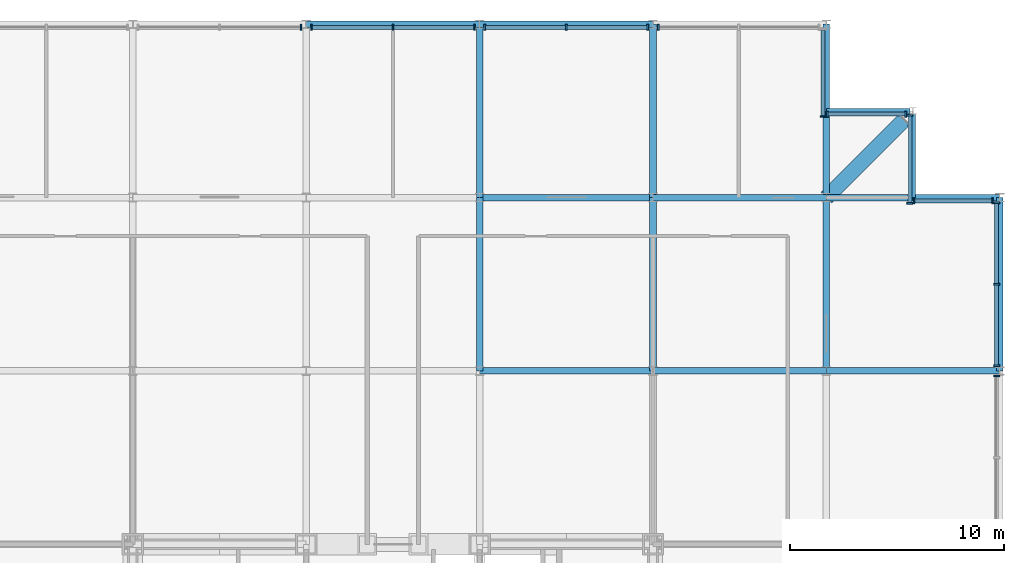
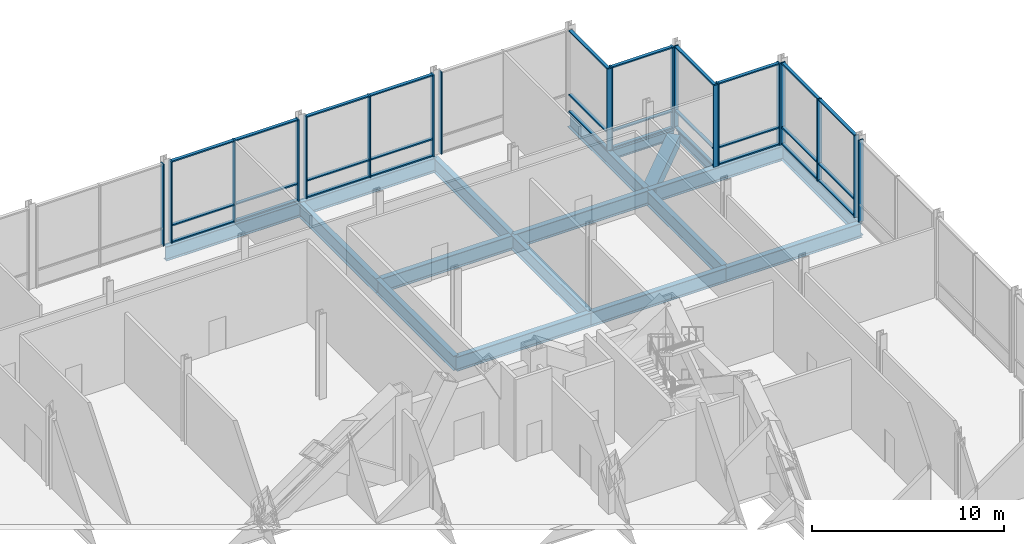
# One storey, part 10 of 21: 49 members, 18 beams, 10 elements without a shape of their own.
"""IFC4 building model written with IfcOpenShell, lengths in metres."""

from ifc_helpers import new_model, si_unit, direction, frame, origin, origin_2d, place, context, subcontext, project, spatial, rectangle, hollow_rectangle, i_section, extrude, material, material_profile, profile_set, type_object, element, aggregate, save


model = new_model("IFC4")

# Units and contexts
model_context = context("Model", 3, precision=1e-05, world=origin(), true_north=direction((0.0, 1.0)))
body_context = subcontext(model_context, "Body", "Model", "MODEL_VIEW")
ifc_project = project(units=[si_unit("LENGTHUNIT", "METRE"), si_unit("AREAUNIT", "SQUARE_METRE"), si_unit("VOLUMEUNIT", "CUBIC_METRE"), si_unit("PLANEANGLEUNIT", "RADIAN"), si_unit("MASSUNIT", "GRAM", prefix="KILO")], contexts=[model_context])

# Site, building, storey
site_placement = place(None, origin())
site = spatial("IfcSite", under=ifc_project, at=site_placement, CompositionType="ELEMENT")
building_placement = place(site_placement, origin())
building = spatial("IfcBuilding", under=site, at=building_placement, Name="Kopane Lantern Tower", CompositionType="ELEMENT")
storey_placement = place(building_placement, frame((0.0, 0.0, 298.5)))
storey = spatial("IfcBuildingStorey", under=building, at=storey_placement, Name="L76", CompositionType="ELEMENT", Elevation=298.5)

# Beams
ifc_material_1 = material(Name="Steel S355JR", Category="steel")
ifc_material_profile_1 = material_profile(ifc_material_1, hollow_rectangle(XDim=0.699951171875, YDim=0.699951171875, WallThickness=0.06005859375, at=origin_2d()), Name="BOX 700x700x60")
ifc_profile_set_1 = profile_set([ifc_material_profile_1], Name="Steel S355JR")
beam_type_1 = type_object("IfcBeamType", Name="CORNER TIE BEAM BOX 700x700x60", PredefinedType="BEAM", material=ifc_profile_set_1)
beam_1_placement = place(storey_placement, frame((52.25244140625, 60.3525390625, -0.56005859375), z_axis=(-0.707083148333, -0.70713041325, 0.0), x_axis=(0.70713041325, -0.707083148333, 0.0)))
element("IfcBeam", 1, at=beam_1_placement, inside=storey, type_object=beam_type_1, Name="Corner Tie Beam L76", PredefinedType="BEAM", context=body_context, shape_type="SweptSolid", body=[
    extrude(hollow_rectangle(XDim=0.699951171875, YDim=0.699951171875, WallThickness=0.06005859375, at=origin_2d()), origin(), (0.0, 0.0, 1.0), 5.165283203125),
])
ifc_material_2 = material(Name="Steel S355JR", Category="steel")
ifc_material_profile_2 = material_profile(ifc_material_2, i_section(OverallWidth=0.22900390625, OverallDepth=0.6123046875, WebThickness=0.011962890625, FlangeThickness=0.01953125, FilletRadius=0.0126953125, at=origin_2d()), Name="UB 610x229x125")
ifc_profile_set_2 = profile_set([ifc_material_profile_2], Name="Steel S355JR")
beam_type_2 = type_object("IfcBeamType", Name="EDGE BEAM UB 610x229x125", PredefinedType="BEAM", material=ifc_profile_set_2)
for number, where, z_axis, x_axis, name in (
    (2, (52.496337890625, 60.75, -0.51611328125), (-1.0, 0.0, 0.0), (0.0, -1.0, 0.0), "Edge Beam L76"),
    (3, (52.64990234375, 60.59619140625, -0.51611328125), (0.0, -1.0, 0.0), (1.0, 0.0, 0.0), "Edge Beam L76"),
):
    element("IfcBeam", number, at=place(storey_placement, frame(where, z_axis=z_axis, x_axis=x_axis)), inside=storey, type_object=beam_type_2, Name=name, PredefinedType="BEAM", context=body_context, shape_type="SweptSolid", body=[
        extrude(i_section(OverallWidth=0.22900390625, OverallDepth=0.6123046875, WebThickness=0.011962890625, FlangeThickness=0.01953125, FilletRadius=0.0126953125, at=origin_2d()), origin(), (0.0, 0.0, 1.0), 3.896240234375),
    ])
ifc_material_3 = material(Name="Steel S355JR", Category="steel")
ifc_material_profile_3 = material_profile(ifc_material_3, i_section(OverallWidth=0.305419921875, OverallDepth=0.91845703125, WebThickness=0.017333984375, FlangeThickness=0.02783203125, FilletRadius=0.01904296875, at=origin_2d()), Name="UB 914x305x253")
ifc_profile_set_3 = profile_set([ifc_material_profile_3], Name="Steel S355JR")
beam_type_3 = type_object("IfcBeamType", Name="GIRDER UB 914x305x253", PredefinedType="BEAM", material=ifc_profile_set_3)
for number, where, z_axis, x_axis, name in (
    (4, (24.300048828125, 64.800048828125, -0.669189453125), (1.0, 0.0, 0.0), (0.0, 1.0, 0.0), "Girder L76"),
    (5, (32.39990234375, 48.60009765625, -0.669189453125), (0.0, 1.0, 0.0), (-1.0, 0.0, 0.0), "Girder L76"),
):
    element("IfcBeam", number, at=place(storey_placement, frame(where, z_axis=z_axis, x_axis=x_axis)), inside=storey, type_object=beam_type_3, Name=name, PredefinedType="BEAM", context=body_context, shape_type="SweptSolid", body=[
        extrude(i_section(OverallWidth=0.305419921875, OverallDepth=0.91845703125, WebThickness=0.017333984375, FlangeThickness=0.02783203125, FilletRadius=0.01904296875, at=origin_2d()), origin(), (0.0, 0.0, 1.0), 8.099853515625),
    ])
for number, where, z_axis, x_axis, name in (
    (6, (32.39990234375, 48.60009765625, -0.669189453125), (1.0, 0.0, 0.0), (0.0, 1.0, 0.0), "Girder L76"),
    (7, (32.39990234375, 56.699951171875, -0.669189453125), (0.0, 1.0, 0.0), (-1.0, 0.0, 0.0), "Girder L76"),
    (8, (32.39990234375, 56.699951171875, -0.669189453125), (1.0, 0.0, 0.0), (0.0, 1.0, 0.0), "Girder L76"),
    (9, (32.39990234375, 64.800048828125, -0.669189453125), (1.0, 0.0, 0.0), (0.0, 1.0, 0.0), "Girder L76"),
):
    element("IfcBeam", number, at=place(storey_placement, frame(where, z_axis=z_axis, x_axis=x_axis)), inside=storey, type_object=beam_type_3, Name=name, PredefinedType="BEAM", context=body_context, shape_type="SweptSolid", body=[
        extrude(i_section(OverallWidth=0.305419921875, OverallDepth=0.91845703125, WebThickness=0.017333984375, FlangeThickness=0.02783203125, FilletRadius=0.01904296875, at=origin_2d()), origin(), (0.0, 0.0, 1.0), 8.10009765625),
    ])
beam_2_placement = place(storey_placement, frame((40.5, 48.60009765625, -0.669189453125), z_axis=(0.0, 1.0, 0.0), x_axis=(-1.0, 0.0, 0.0)))
element("IfcBeam", 10, at=beam_2_placement, inside=storey, type_object=beam_type_3, Name="Girder L76", PredefinedType="BEAM", context=body_context, shape_type="SweptSolid", body=[
    extrude(i_section(OverallWidth=0.305419921875, OverallDepth=0.91845703125, WebThickness=0.017333984375, FlangeThickness=0.02783203125, FilletRadius=0.01904296875, at=origin_2d()), origin(), (0.0, 0.0, 1.0), 8.099853515625),
])
for number, where, z_axis, x_axis, name in (
    (11, (40.5, 48.60009765625, -0.669189453125), (1.0, 0.0, 0.0), (0.0, 1.0, 0.0), "Girder L76"),
    (12, (40.5, 56.699951171875, -0.669189453125), (0.0, 1.0, 0.0), (-1.0, 0.0, 0.0), "Girder L76"),
    (13, (40.5, 56.699951171875, -0.669189453125), (1.0, 0.0, 0.0), (0.0, 1.0, 0.0), "Girder L76"),
):
    element("IfcBeam", number, at=place(storey_placement, frame(where, z_axis=z_axis, x_axis=x_axis)), inside=storey, type_object=beam_type_3, Name=name, PredefinedType="BEAM", context=body_context, shape_type="SweptSolid", body=[
        extrude(i_section(OverallWidth=0.305419921875, OverallDepth=0.91845703125, WebThickness=0.017333984375, FlangeThickness=0.02783203125, FilletRadius=0.01904296875, at=origin_2d()), origin(), (0.0, 0.0, 1.0), 8.10009765625),
    ])
for number, where, z_axis, x_axis, name in (
    (14, (48.60009765625, 48.60009765625, -0.669189453125), (0.0, 1.0, 0.0), (-1.0, 0.0, 0.0), "Girder L76"),
    (15, (48.60009765625, 48.60009765625, -0.669189453125), (1.0, 0.0, 0.0), (0.0, 1.0, 0.0), "Girder L76"),
):
    element("IfcBeam", number, at=place(storey_placement, frame(where, z_axis=z_axis, x_axis=x_axis)), inside=storey, type_object=beam_type_3, Name=name, PredefinedType="BEAM", context=body_context, shape_type="SweptSolid", body=[
        extrude(i_section(OverallWidth=0.305419921875, OverallDepth=0.91845703125, WebThickness=0.017333984375, FlangeThickness=0.02783203125, FilletRadius=0.01904296875, at=origin_2d()), origin(), (0.0, 0.0, 1.0), 8.099853515625),
    ])
beam_3_placement = place(storey_placement, frame((48.60009765625, 56.699951171875, -0.669189453125), z_axis=(0.0, 1.0, 0.0), x_axis=(-1.0, 0.0, 0.0)))
element("IfcBeam", 16, at=beam_3_placement, inside=storey, type_object=beam_type_3, Name="Girder L76", PredefinedType="BEAM", context=body_context, shape_type="SweptSolid", body=[
    extrude(i_section(OverallWidth=0.305419921875, OverallDepth=0.91845703125, WebThickness=0.017333984375, FlangeThickness=0.02783203125, FilletRadius=0.01904296875, at=origin_2d()), origin(), (0.0, 0.0, 1.0), 8.10009765625),
])
for number, where, z_axis, x_axis, name in (
    (17, (48.60009765625, 56.699951171875, -0.669189453125), (1.0, 0.0, 0.0), (0.0, 1.0, 0.0), "Girder L76"),
    (18, (56.699951171875, 48.60009765625, -0.669189453125), (0.0, 1.0, 0.0), (-1.0, 0.0, 0.0), "Girder L76"),
):
    element("IfcBeam", number, at=place(storey_placement, frame(where, z_axis=z_axis, x_axis=x_axis)), inside=storey, type_object=beam_type_3, Name=name, PredefinedType="BEAM", context=body_context, shape_type="SweptSolid", body=[
        extrude(i_section(OverallWidth=0.305419921875, OverallDepth=0.91845703125, WebThickness=0.017333984375, FlangeThickness=0.02783203125, FilletRadius=0.01904296875, at=origin_2d()), origin(), (0.0, 0.0, 1.0), 8.099853515625),
    ])

# Curtain wall, member
ifc_material_4 = material(Name="Aluminium and clear glass", Category="aluminium")
curtain_wall_type = type_object("IfcCurtainWallType", Name="CURTAIN WALL CW6 LANTERN CROWN", PredefinedType="USERDEFINED", material=ifc_material_4)
curtain_wall_1_placement = place(storey_placement, origin())
curtain_wall_1 = element("IfcCurtainWall", 19, at=curtain_wall_1_placement, inside=storey, type_object=curtain_wall_type, Name="Curtain wall CW6 E L76", ObjectType="CURTAIN WALL", PredefinedType="USERDEFINED")
ifc_material_5 = material(Name="Aluminium", Category="aluminium")
ifc_material_profile_4 = material_profile(ifc_material_5, rectangle(XDim=0.080078125, YDim=0.280029296875, at=origin_2d()), Name="AL 80x280")
ifc_profile_set_4 = profile_set([ifc_material_profile_4], Name="Aluminium")
member_type_1 = type_object("IfcMemberType", Name="MULLION CW6-M 80x280", PredefinedType="MULLION", material=ifc_profile_set_4)
member_1_placement = place(storey_placement, frame((56.550048828125, 48.358154296875, 0.0), z_axis=(0.0, 0.0, 1.0), x_axis=(0.0, 1.0, 0.0)))
member_1 = element("IfcMember", 20, at=member_1_placement, type_object=member_type_1, Name="CW6 mullion 3", PredefinedType="MULLION", context=body_context, shape_type="SweptSolid", body=[
    extrude(rectangle(XDim=0.080078125, YDim=0.280029296875, at=origin_2d()), origin(), (0.0, 0.0, 1.0), 5.18994140625),
])
aggregate(curtain_wall_1, [member_1])

# Curtain wall, members
curtain_wall_2_placement = place(storey_placement, origin())
curtain_wall_2 = element("IfcCurtainWall", 21, at=curtain_wall_2_placement, inside=storey, type_object=curtain_wall_type, Name="Curtain wall CW6 E L76", ObjectType="CURTAIN WALL", PredefinedType="USERDEFINED")
member_2_placement = place(storey_placement, frame((56.550048828125, 48.841796875, 0.0), z_axis=(0.0, 0.0, 1.0), x_axis=(0.0, 1.0, 0.0)))
member_2 = element("IfcMember", 22, at=member_2_placement, type_object=member_type_1, Name="CW6 mullion 1", PredefinedType="MULLION", context=body_context, shape_type="SweptSolid", body=[
    extrude(rectangle(XDim=0.080078125, YDim=0.280029296875, at=origin_2d()), origin(), (0.0, 0.0, 1.0), 5.18994140625),
])
member_3_placement = place(storey_placement, frame((56.550048828125, 52.64990234375, 0.0), z_axis=(0.0, 0.0, 1.0), x_axis=(0.0, 1.0, 0.0)))
member_3 = element("IfcMember", 23, at=member_3_placement, type_object=member_type_1, Name="CW6 mullion 2", PredefinedType="MULLION", context=body_context, shape_type="SweptSolid", body=[
    extrude(rectangle(XDim=0.080078125, YDim=0.280029296875, at=origin_2d()), origin(), (0.0, 0.0, 1.0), 5.18994140625),
])
member_4_placement = place(storey_placement, frame((56.550048828125, 56.458251953125, 0.0), z_axis=(0.0, 0.0, 1.0), x_axis=(0.0, 1.0, 0.0)))
member_4 = element("IfcMember", 24, at=member_4_placement, type_object=member_type_1, Name="CW6 mullion 3", PredefinedType="MULLION", context=body_context, shape_type="SweptSolid", body=[
    extrude(rectangle(XDim=0.080078125, YDim=0.280029296875, at=origin_2d()), origin(), (0.0, 0.0, 1.0), 5.18994140625),
])

curtain_wall_3_placement = place(storey_placement, origin())
curtain_wall_3 = element("IfcCurtainWall", 25, at=curtain_wall_3_placement, inside=storey, type_object=curtain_wall_type, Name="Curtain wall CW6 N L76", ObjectType="CURTAIN WALL", PredefinedType="USERDEFINED")
member_5_placement = place(storey_placement, frame((56.360107421875, 56.550048828125, 0.0), z_axis=(0.0, 0.0, 1.0), x_axis=(-1.0, 0.0, 0.0)))
member_5 = element("IfcMember", 26, at=member_5_placement, type_object=member_type_1, Name="CW6 mullion 1", PredefinedType="MULLION", context=body_context, shape_type="SweptSolid", body=[
    extrude(rectangle(XDim=0.080078125, YDim=0.280029296875, at=origin_2d()), origin(), (0.0, 0.0, 1.0), 5.18994140625),
])
member_6_placement = place(storey_placement, frame((52.68994140625, 56.550048828125, 0.0), z_axis=(0.0, 0.0, 1.0), x_axis=(-1.0, 0.0, 0.0)))
member_6 = element("IfcMember", 27, at=member_6_placement, type_object=member_type_1, Name="CW6 mullion 2", PredefinedType="MULLION", context=body_context, shape_type="SweptSolid", body=[
    extrude(rectangle(XDim=0.080078125, YDim=0.280029296875, at=origin_2d()), origin(), (0.0, 0.0, 1.0), 5.18994140625),
])

curtain_wall_4_placement = place(storey_placement, origin())
curtain_wall_4 = element("IfcCurtainWall", 28, at=curtain_wall_4_placement, inside=storey, type_object=curtain_wall_type, Name="Curtain wall CW6 E L76", ObjectType="CURTAIN WALL", PredefinedType="USERDEFINED")
member_7_placement = place(storey_placement, frame((52.5, 56.43994140625, 0.0), z_axis=(0.0, 0.0, 1.0), x_axis=(0.0, 1.0, 0.0)))
member_7 = element("IfcMember", 29, at=member_7_placement, type_object=member_type_1, Name="CW6 mullion 1", PredefinedType="MULLION", context=body_context, shape_type="SweptSolid", body=[
    extrude(rectangle(XDim=0.080078125, YDim=0.280029296875, at=origin_2d()), origin(), (0.0, 0.0, 1.0), 5.18994140625),
])
member_8_placement = place(storey_placement, frame((52.5, 60.547607421875, 0.0), z_axis=(0.0, 0.0, 1.0), x_axis=(0.0, 1.0, 0.0)))
member_8 = element("IfcMember", 30, at=member_8_placement, type_object=member_type_1, Name="CW6 mullion 2", PredefinedType="MULLION", context=body_context, shape_type="SweptSolid", body=[
    extrude(rectangle(XDim=0.080078125, YDim=0.280029296875, at=origin_2d()), origin(), (0.0, 0.0, 1.0), 5.18994140625),
])

curtain_wall_5_placement = place(storey_placement, origin())
curtain_wall_5 = element("IfcCurtainWall", 31, at=curtain_wall_5_placement, inside=storey, type_object=curtain_wall_type, Name="Curtain wall CW6 N L76", ObjectType="CURTAIN WALL", PredefinedType="USERDEFINED")
member_9_placement = place(storey_placement, frame((52.31005859375, 60.60009765625, 0.0), z_axis=(0.0, 0.0, 1.0), x_axis=(-1.0, 0.0, 0.0)))
member_9 = element("IfcMember", 32, at=member_9_placement, type_object=member_type_1, Name="CW6 mullion 1", PredefinedType="MULLION", context=body_context, shape_type="SweptSolid", body=[
    extrude(rectangle(XDim=0.080078125, YDim=0.280029296875, at=origin_2d()), origin(), (0.0, 0.0, 1.0), 5.18994140625),
])
member_10_placement = place(storey_placement, frame((48.639892578125, 60.60009765625, 0.0), z_axis=(0.0, 0.0, 1.0), x_axis=(-1.0, 0.0, 0.0)))
member_10 = element("IfcMember", 33, at=member_10_placement, type_object=member_type_1, Name="CW6 mullion 2", PredefinedType="MULLION", context=body_context, shape_type="SweptSolid", body=[
    extrude(rectangle(XDim=0.080078125, YDim=0.280029296875, at=origin_2d()), origin(), (0.0, 0.0, 1.0), 5.18994140625),
])

# Curtain wall, member
curtain_wall_6_placement = place(storey_placement, origin())
curtain_wall_6 = element("IfcCurtainWall", 34, at=curtain_wall_6_placement, inside=storey, type_object=curtain_wall_type, Name="Curtain wall CW6 E L76", ObjectType="CURTAIN WALL", PredefinedType="USERDEFINED")
member_11_placement = place(storey_placement, frame((48.449951171875, 60.489990234375, 0.0), z_axis=(0.0, 0.0, 1.0), x_axis=(0.0, 1.0, 0.0)))
member_11 = element("IfcMember", 35, at=member_11_placement, type_object=member_type_1, Name="CW6 mullion 1", PredefinedType="MULLION", context=body_context, shape_type="SweptSolid", body=[
    extrude(rectangle(XDim=0.080078125, YDim=0.280029296875, at=origin_2d()), origin(), (0.0, 0.0, 1.0), 5.18994140625),
])

curtain_wall_7_placement = place(storey_placement, origin())
curtain_wall_7 = element("IfcCurtainWall", 36, at=curtain_wall_7_placement, inside=storey, type_object=curtain_wall_type, Name="Curtain wall CW6 N L76", ObjectType="CURTAIN WALL", PredefinedType="USERDEFINED")
member_12_placement = place(storey_placement, frame((40.744384765625, 64.64990234375, 0.0), z_axis=(0.0, 0.0, 1.0), x_axis=(-1.0, 0.0, 0.0)))
member_12 = element("IfcMember", 37, at=member_12_placement, type_object=member_type_1, Name="CW6 mullion 3", PredefinedType="MULLION", context=body_context, shape_type="SweptSolid", body=[
    extrude(rectangle(XDim=0.080078125, YDim=0.280029296875, at=origin_2d()), origin(), (0.0, 0.0, 1.0), 5.18994140625),
])
aggregate(curtain_wall_7, [member_12])

# Curtain wall, members
curtain_wall_8_placement = place(storey_placement, origin())
curtain_wall_8 = element("IfcCurtainWall", 38, at=curtain_wall_8_placement, inside=storey, type_object=curtain_wall_type, Name="Curtain wall CW6 N L76", ObjectType="CURTAIN WALL", PredefinedType="USERDEFINED")
member_13_placement = place(storey_placement, frame((40.255615234375, 64.64990234375, 0.0), z_axis=(0.0, 0.0, 1.0), x_axis=(-1.0, 0.0, 0.0)))
member_13 = element("IfcMember", 39, at=member_13_placement, type_object=member_type_1, Name="CW6 mullion 1", PredefinedType="MULLION", context=body_context, shape_type="SweptSolid", body=[
    extrude(rectangle(XDim=0.080078125, YDim=0.280029296875, at=origin_2d()), origin(), (0.0, 0.0, 1.0), 5.18994140625),
])
member_14_placement = place(storey_placement, frame((36.449951171875, 64.64990234375, 0.0), z_axis=(0.0, 0.0, 1.0), x_axis=(-1.0, 0.0, 0.0)))
member_14 = element("IfcMember", 40, at=member_14_placement, type_object=member_type_1, Name="CW6 mullion 2", PredefinedType="MULLION", context=body_context, shape_type="SweptSolid", body=[
    extrude(rectangle(XDim=0.080078125, YDim=0.280029296875, at=origin_2d()), origin(), (0.0, 0.0, 1.0), 5.18994140625),
])
member_15_placement = place(storey_placement, frame((32.64453125, 64.64990234375, 0.0), z_axis=(0.0, 0.0, 1.0), x_axis=(-1.0, 0.0, 0.0)))
member_15 = element("IfcMember", 41, at=member_15_placement, type_object=member_type_1, Name="CW6 mullion 3", PredefinedType="MULLION", context=body_context, shape_type="SweptSolid", body=[
    extrude(rectangle(XDim=0.080078125, YDim=0.280029296875, at=origin_2d()), origin(), (0.0, 0.0, 1.0), 5.18994140625),
])

curtain_wall_9_placement = place(storey_placement, origin())
curtain_wall_9 = element("IfcCurtainWall", 42, at=curtain_wall_9_placement, inside=storey, type_object=curtain_wall_type, Name="Curtain wall CW6 N L76", ObjectType="CURTAIN WALL", PredefinedType="USERDEFINED")
member_16_placement = place(storey_placement, frame((32.155517578125, 64.64990234375, 0.0), z_axis=(0.0, 0.0, 1.0), x_axis=(-1.0, 0.0, 0.0)))
member_16 = element("IfcMember", 43, at=member_16_placement, type_object=member_type_1, Name="CW6 mullion 1", PredefinedType="MULLION", context=body_context, shape_type="SweptSolid", body=[
    extrude(rectangle(XDim=0.080078125, YDim=0.280029296875, at=origin_2d()), origin(), (0.0, 0.0, 1.0), 5.18994140625),
])
member_17_placement = place(storey_placement, frame((28.35009765625, 64.64990234375, 0.0), z_axis=(0.0, 0.0, 1.0), x_axis=(-1.0, 0.0, 0.0)))
member_17 = element("IfcMember", 44, at=member_17_placement, type_object=member_type_1, Name="CW6 mullion 2", PredefinedType="MULLION", context=body_context, shape_type="SweptSolid", body=[
    extrude(rectangle(XDim=0.080078125, YDim=0.280029296875, at=origin_2d()), origin(), (0.0, 0.0, 1.0), 5.18994140625),
])
member_18_placement = place(storey_placement, frame((24.54443359375, 64.64990234375, 0.0), z_axis=(0.0, 0.0, 1.0), x_axis=(-1.0, 0.0, 0.0)))
member_18 = element("IfcMember", 45, at=member_18_placement, type_object=member_type_1, Name="CW6 mullion 3", PredefinedType="MULLION", context=body_context, shape_type="SweptSolid", body=[
    extrude(rectangle(XDim=0.080078125, YDim=0.280029296875, at=origin_2d()), origin(), (0.0, 0.0, 1.0), 5.18994140625),
])

# Curtain wall, member
curtain_wall_10_placement = place(storey_placement, origin())
curtain_wall_10 = element("IfcCurtainWall", 46, at=curtain_wall_10_placement, inside=storey, type_object=curtain_wall_type, Name="Curtain wall CW6 N L76", ObjectType="CURTAIN WALL", PredefinedType="USERDEFINED")
member_19_placement = place(storey_placement, frame((24.055419921875, 64.64990234375, 0.0), z_axis=(0.0, 0.0, 1.0), x_axis=(-1.0, 0.0, 0.0)))
member_19 = element("IfcMember", 47, at=member_19_placement, type_object=member_type_1, Name="CW6 mullion 1", PredefinedType="MULLION", context=body_context, shape_type="SweptSolid", body=[
    extrude(rectangle(XDim=0.080078125, YDim=0.280029296875, at=origin_2d()), origin(), (0.0, 0.0, 1.0), 5.18994140625),
])
aggregate(curtain_wall_10, [member_19])

# Member
ifc_material_6 = material(Name="Aluminium", Category="aluminium")
ifc_material_profile_5 = material_profile(ifc_material_6, rectangle(XDim=0.18994140625, YDim=0.080078125, at=origin_2d()), Name="AL 190x80")
ifc_profile_set_5 = profile_set([ifc_material_profile_5], Name="Aluminium")
member_type_2 = type_object("IfcMemberType", Name="TRANSOM CW6-T 80x190", PredefinedType="USERDEFINED", material=ifc_profile_set_5)
member_20_placement = place(storey_placement, frame((56.550048828125, 48.8818359375, 0.0400390625), z_axis=(0.0, 1.0, 0.0), x_axis=(-1.0, 0.0, 0.0)))
member_20 = element("IfcMember", 48, at=member_20_placement, type_object=member_type_2, Name="CW6 transom 1.1", ObjectType="TRANSOM", PredefinedType="USERDEFINED", context=body_context, shape_type="SweptSolid", body=[
    extrude(rectangle(XDim=0.18994140625, YDim=0.080078125, at=origin_2d()), origin(), (0.0, 0.0, 1.0), 3.728271484375),
])

member_21_placement = place(storey_placement, frame((56.550048828125, 48.8818359375, 1.10009765625), z_axis=(0.0, 1.0, 0.0), x_axis=(-1.0, 0.0, 0.0)))
member_21 = element("IfcMember", 49, at=member_21_placement, type_object=member_type_2, Name="CW6 transom 1.2", ObjectType="TRANSOM", PredefinedType="USERDEFINED", context=body_context, shape_type="SweptSolid", body=[
    extrude(rectangle(XDim=0.18994140625, YDim=0.080078125, at=origin_2d()), origin(), (0.0, 0.0, 1.0), 3.728271484375),
])

member_22_placement = place(storey_placement, frame((56.550048828125, 48.8818359375, 5.14990234375), z_axis=(0.0, 1.0, 0.0), x_axis=(-1.0, 0.0, 0.0)))
member_22 = element("IfcMember", 50, at=member_22_placement, type_object=member_type_2, Name="CW6 transom 1.3", ObjectType="TRANSOM", PredefinedType="USERDEFINED", context=body_context, shape_type="SweptSolid", body=[
    extrude(rectangle(XDim=0.18994140625, YDim=0.080078125, at=origin_2d()), origin(), (0.0, 0.0, 1.0), 3.728271484375),
])

member_23_placement = place(storey_placement, frame((56.550048828125, 52.68994140625, 0.0400390625), z_axis=(0.0, 1.0, 0.0), x_axis=(-1.0, 0.0, 0.0)))
member_23 = element("IfcMember", 51, at=member_23_placement, type_object=member_type_2, Name="CW6 transom 2.1", ObjectType="TRANSOM", PredefinedType="USERDEFINED", context=body_context, shape_type="SweptSolid", body=[
    extrude(rectangle(XDim=0.18994140625, YDim=0.080078125, at=origin_2d()), origin(), (0.0, 0.0, 1.0), 3.728271484375),
])

member_24_placement = place(storey_placement, frame((56.550048828125, 52.68994140625, 1.10009765625), z_axis=(0.0, 1.0, 0.0), x_axis=(-1.0, 0.0, 0.0)))
member_24 = element("IfcMember", 52, at=member_24_placement, type_object=member_type_2, Name="CW6 transom 2.2", ObjectType="TRANSOM", PredefinedType="USERDEFINED", context=body_context, shape_type="SweptSolid", body=[
    extrude(rectangle(XDim=0.18994140625, YDim=0.080078125, at=origin_2d()), origin(), (0.0, 0.0, 1.0), 3.728271484375),
])

member_25_placement = place(storey_placement, frame((56.550048828125, 52.68994140625, 5.14990234375), z_axis=(0.0, 1.0, 0.0), x_axis=(-1.0, 0.0, 0.0)))
member_25 = element("IfcMember", 53, at=member_25_placement, type_object=member_type_2, Name="CW6 transom 2.3", ObjectType="TRANSOM", PredefinedType="USERDEFINED", context=body_context, shape_type="SweptSolid", body=[
    extrude(rectangle(XDim=0.18994140625, YDim=0.080078125, at=origin_2d()), origin(), (0.0, 0.0, 1.0), 3.728271484375),
])

aggregate(curtain_wall_2, [member_2, member_3, member_4, member_20, member_21, member_22, member_23, member_24, member_25])

member_26_placement = place(storey_placement, frame((56.320068359375, 56.550048828125, 0.0400390625), z_axis=(-1.0, 0.0, 0.0), x_axis=(0.0, -1.0, 0.0)))
member_26 = element("IfcMember", 54, at=member_26_placement, type_object=member_type_2, Name="CW6 transom 1.1", ObjectType="TRANSOM", PredefinedType="USERDEFINED", context=body_context, shape_type="SweptSolid", body=[
    extrude(rectangle(XDim=0.18994140625, YDim=0.080078125, at=origin_2d()), origin(), (0.0, 0.0, 1.0), 3.590087890625),
])

member_27_placement = place(storey_placement, frame((56.320068359375, 56.550048828125, 1.10009765625), z_axis=(-1.0, 0.0, 0.0), x_axis=(0.0, -1.0, 0.0)))
member_27 = element("IfcMember", 55, at=member_27_placement, type_object=member_type_2, Name="CW6 transom 1.2", ObjectType="TRANSOM", PredefinedType="USERDEFINED", context=body_context, shape_type="SweptSolid", body=[
    extrude(rectangle(XDim=0.18994140625, YDim=0.080078125, at=origin_2d()), origin(), (0.0, 0.0, 1.0), 3.590087890625),
])

member_28_placement = place(storey_placement, frame((56.320068359375, 56.550048828125, 5.14990234375), z_axis=(-1.0, 0.0, 0.0), x_axis=(0.0, -1.0, 0.0)))
member_28 = element("IfcMember", 56, at=member_28_placement, type_object=member_type_2, Name="CW6 transom 1.3", ObjectType="TRANSOM", PredefinedType="USERDEFINED", context=body_context, shape_type="SweptSolid", body=[
    extrude(rectangle(XDim=0.18994140625, YDim=0.080078125, at=origin_2d()), origin(), (0.0, 0.0, 1.0), 3.590087890625),
])

aggregate(curtain_wall_3, [member_5, member_6, member_26, member_27, member_28])

member_29_placement = place(storey_placement, frame((52.5, 56.47998046875, 0.0400390625), z_axis=(0.0, 1.0, 0.0), x_axis=(-1.0, 0.0, 0.0)))
member_29 = element("IfcMember", 57, at=member_29_placement, type_object=member_type_2, Name="CW6 transom 1.1", ObjectType="TRANSOM", PredefinedType="USERDEFINED", context=body_context, shape_type="SweptSolid", body=[
    extrude(rectangle(XDim=0.18994140625, YDim=0.080078125, at=origin_2d()), origin(), (0.0, 0.0, 1.0), 4.02783203125),
])

member_30_placement = place(storey_placement, frame((52.5, 56.47998046875, 1.10009765625), z_axis=(0.0, 1.0, 0.0), x_axis=(-1.0, 0.0, 0.0)))
member_30 = element("IfcMember", 58, at=member_30_placement, type_object=member_type_2, Name="CW6 transom 1.2", ObjectType="TRANSOM", PredefinedType="USERDEFINED", context=body_context, shape_type="SweptSolid", body=[
    extrude(rectangle(XDim=0.18994140625, YDim=0.080078125, at=origin_2d()), origin(), (0.0, 0.0, 1.0), 4.02783203125),
])

member_31_placement = place(storey_placement, frame((52.5, 56.47998046875, 5.14990234375), z_axis=(0.0, 1.0, 0.0), x_axis=(-1.0, 0.0, 0.0)))
member_31 = element("IfcMember", 59, at=member_31_placement, type_object=member_type_2, Name="CW6 transom 1.3", ObjectType="TRANSOM", PredefinedType="USERDEFINED", context=body_context, shape_type="SweptSolid", body=[
    extrude(rectangle(XDim=0.18994140625, YDim=0.080078125, at=origin_2d()), origin(), (0.0, 0.0, 1.0), 4.02783203125),
])

aggregate(curtain_wall_4, [member_7, member_8, member_29, member_30, member_31])

member_32_placement = place(storey_placement, frame((52.27001953125, 60.60009765625, 0.0400390625), z_axis=(-1.0, 0.0, 0.0), x_axis=(0.0, -1.0, 0.0)))
member_32 = element("IfcMember", 60, at=member_32_placement, type_object=member_type_2, Name="CW6 transom 1.1", ObjectType="TRANSOM", PredefinedType="USERDEFINED", context=body_context, shape_type="SweptSolid", body=[
    extrude(rectangle(XDim=0.18994140625, YDim=0.080078125, at=origin_2d()), origin(), (0.0, 0.0, 1.0), 3.590087890625),
])

member_33_placement = place(storey_placement, frame((52.27001953125, 60.60009765625, 1.10009765625), z_axis=(-1.0, 0.0, 0.0), x_axis=(0.0, -1.0, 0.0)))
member_33 = element("IfcMember", 61, at=member_33_placement, type_object=member_type_2, Name="CW6 transom 1.2", ObjectType="TRANSOM", PredefinedType="USERDEFINED", context=body_context, shape_type="SweptSolid", body=[
    extrude(rectangle(XDim=0.18994140625, YDim=0.080078125, at=origin_2d()), origin(), (0.0, 0.0, 1.0), 3.590087890625),
])

member_34_placement = place(storey_placement, frame((52.27001953125, 60.60009765625, 5.14990234375), z_axis=(-1.0, 0.0, 0.0), x_axis=(0.0, -1.0, 0.0)))
member_34 = element("IfcMember", 62, at=member_34_placement, type_object=member_type_2, Name="CW6 transom 1.3", ObjectType="TRANSOM", PredefinedType="USERDEFINED", context=body_context, shape_type="SweptSolid", body=[
    extrude(rectangle(XDim=0.18994140625, YDim=0.080078125, at=origin_2d()), origin(), (0.0, 0.0, 1.0), 3.590087890625),
])

aggregate(curtain_wall_5, [member_9, member_10, member_32, member_33, member_34])

member_35_placement = place(storey_placement, frame((48.449951171875, 60.530029296875, 0.0400390625), z_axis=(0.0, 1.0, 0.0), x_axis=(-1.0, 0.0, 0.0)))
member_35 = element("IfcMember", 63, at=member_35_placement, type_object=member_type_2, Name="CW6 transom 1.1", ObjectType="TRANSOM", PredefinedType="USERDEFINED", context=body_context, shape_type="SweptSolid", body=[
    extrude(rectangle(XDim=0.18994140625, YDim=0.080078125, at=origin_2d()), origin(), (0.0, 0.0, 1.0), 3.98828125),
])

member_36_placement = place(storey_placement, frame((48.449951171875, 60.530029296875, 1.10009765625), z_axis=(0.0, 1.0, 0.0), x_axis=(-1.0, 0.0, 0.0)))
member_36 = element("IfcMember", 64, at=member_36_placement, type_object=member_type_2, Name="CW6 transom 1.2", ObjectType="TRANSOM", PredefinedType="USERDEFINED", context=body_context, shape_type="SweptSolid", body=[
    extrude(rectangle(XDim=0.18994140625, YDim=0.080078125, at=origin_2d()), origin(), (0.0, 0.0, 1.0), 3.98828125),
])

member_37_placement = place(storey_placement, frame((48.449951171875, 60.530029296875, 5.14990234375), z_axis=(0.0, 1.0, 0.0), x_axis=(-1.0, 0.0, 0.0)))
member_37 = element("IfcMember", 65, at=member_37_placement, type_object=member_type_2, Name="CW6 transom 1.3", ObjectType="TRANSOM", PredefinedType="USERDEFINED", context=body_context, shape_type="SweptSolid", body=[
    extrude(rectangle(XDim=0.18994140625, YDim=0.080078125, at=origin_2d()), origin(), (0.0, 0.0, 1.0), 3.98828125),
])

aggregate(curtain_wall_6, [member_11, member_35, member_36, member_37])

member_38_placement = place(storey_placement, frame((40.215576171875, 64.64990234375, 0.0400390625), z_axis=(-1.0, 0.0, 0.0), x_axis=(0.0, -1.0, 0.0)))
member_38 = element("IfcMember", 66, at=member_38_placement, type_object=member_type_2, Name="CW6 transom 1.1", ObjectType="TRANSOM", PredefinedType="USERDEFINED", context=body_context, shape_type="SweptSolid", body=[
    extrude(rectangle(XDim=0.18994140625, YDim=0.080078125, at=origin_2d()), origin(), (0.0, 0.0, 1.0), 3.7255859375),
])

member_39_placement = place(storey_placement, frame((40.215576171875, 64.64990234375, 1.10009765625), z_axis=(-1.0, 0.0, 0.0), x_axis=(0.0, -1.0, 0.0)))
member_39 = element("IfcMember", 67, at=member_39_placement, type_object=member_type_2, Name="CW6 transom 1.2", ObjectType="TRANSOM", PredefinedType="USERDEFINED", context=body_context, shape_type="SweptSolid", body=[
    extrude(rectangle(XDim=0.18994140625, YDim=0.080078125, at=origin_2d()), origin(), (0.0, 0.0, 1.0), 3.7255859375),
])

member_40_placement = place(storey_placement, frame((40.215576171875, 64.64990234375, 5.14990234375), z_axis=(-1.0, 0.0, 0.0), x_axis=(0.0, -1.0, 0.0)))
member_40 = element("IfcMember", 68, at=member_40_placement, type_object=member_type_2, Name="CW6 transom 1.3", ObjectType="TRANSOM", PredefinedType="USERDEFINED", context=body_context, shape_type="SweptSolid", body=[
    extrude(rectangle(XDim=0.18994140625, YDim=0.080078125, at=origin_2d()), origin(), (0.0, 0.0, 1.0), 3.7255859375),
])

member_41_placement = place(storey_placement, frame((36.409912109375, 64.64990234375, 0.0400390625), z_axis=(-1.0, 0.0, 0.0), x_axis=(0.0, -1.0, 0.0)))
member_41 = element("IfcMember", 69, at=member_41_placement, type_object=member_type_2, Name="CW6 transom 2.1", ObjectType="TRANSOM", PredefinedType="USERDEFINED", context=body_context, shape_type="SweptSolid", body=[
    extrude(rectangle(XDim=0.18994140625, YDim=0.080078125, at=origin_2d()), origin(), (0.0, 0.0, 1.0), 3.725341796875),
])

member_42_placement = place(storey_placement, frame((36.409912109375, 64.64990234375, 1.10009765625), z_axis=(-1.0, 0.0, 0.0), x_axis=(0.0, -1.0, 0.0)))
member_42 = element("IfcMember", 70, at=member_42_placement, type_object=member_type_2, Name="CW6 transom 2.2", ObjectType="TRANSOM", PredefinedType="USERDEFINED", context=body_context, shape_type="SweptSolid", body=[
    extrude(rectangle(XDim=0.18994140625, YDim=0.080078125, at=origin_2d()), origin(), (0.0, 0.0, 1.0), 3.725341796875),
])

member_43_placement = place(storey_placement, frame((36.409912109375, 64.64990234375, 5.14990234375), z_axis=(-1.0, 0.0, 0.0), x_axis=(0.0, -1.0, 0.0)))
member_43 = element("IfcMember", 71, at=member_43_placement, type_object=member_type_2, Name="CW6 transom 2.3", ObjectType="TRANSOM", PredefinedType="USERDEFINED", context=body_context, shape_type="SweptSolid", body=[
    extrude(rectangle(XDim=0.18994140625, YDim=0.080078125, at=origin_2d()), origin(), (0.0, 0.0, 1.0), 3.725341796875),
])

aggregate(curtain_wall_8, [member_13, member_14, member_15, member_38, member_39, member_40, member_41, member_42, member_43])

member_44_placement = place(storey_placement, frame((32.115478515625, 64.64990234375, 0.0400390625), z_axis=(-1.0, 0.0, 0.0), x_axis=(0.0, -1.0, 0.0)))
member_44 = element("IfcMember", 72, at=member_44_placement, type_object=member_type_2, Name="CW6 transom 1.1", ObjectType="TRANSOM", PredefinedType="USERDEFINED", context=body_context, shape_type="SweptSolid", body=[
    extrude(rectangle(XDim=0.18994140625, YDim=0.080078125, at=origin_2d()), origin(), (0.0, 0.0, 1.0), 3.7255859375),
])

member_45_placement = place(storey_placement, frame((32.115478515625, 64.64990234375, 1.10009765625), z_axis=(-1.0, 0.0, 0.0), x_axis=(0.0, -1.0, 0.0)))
member_45 = element("IfcMember", 73, at=member_45_placement, type_object=member_type_2, Name="CW6 transom 1.2", ObjectType="TRANSOM", PredefinedType="USERDEFINED", context=body_context, shape_type="SweptSolid", body=[
    extrude(rectangle(XDim=0.18994140625, YDim=0.080078125, at=origin_2d()), origin(), (0.0, 0.0, 1.0), 3.7255859375),
])

member_46_placement = place(storey_placement, frame((32.115478515625, 64.64990234375, 5.14990234375), z_axis=(-1.0, 0.0, 0.0), x_axis=(0.0, -1.0, 0.0)))
member_46 = element("IfcMember", 74, at=member_46_placement, type_object=member_type_2, Name="CW6 transom 1.3", ObjectType="TRANSOM", PredefinedType="USERDEFINED", context=body_context, shape_type="SweptSolid", body=[
    extrude(rectangle(XDim=0.18994140625, YDim=0.080078125, at=origin_2d()), origin(), (0.0, 0.0, 1.0), 3.7255859375),
])

member_47_placement = place(storey_placement, frame((28.31005859375, 64.64990234375, 0.0400390625), z_axis=(-1.0, 0.0, 0.0), x_axis=(0.0, -1.0, 0.0)))
member_47 = element("IfcMember", 75, at=member_47_placement, type_object=member_type_2, Name="CW6 transom 2.1", ObjectType="TRANSOM", PredefinedType="USERDEFINED", context=body_context, shape_type="SweptSolid", body=[
    extrude(rectangle(XDim=0.18994140625, YDim=0.080078125, at=origin_2d()), origin(), (0.0, 0.0, 1.0), 3.7255859375),
])

member_48_placement = place(storey_placement, frame((28.31005859375, 64.64990234375, 1.10009765625), z_axis=(-1.0, 0.0, 0.0), x_axis=(0.0, -1.0, 0.0)))
member_48 = element("IfcMember", 76, at=member_48_placement, type_object=member_type_2, Name="CW6 transom 2.2", ObjectType="TRANSOM", PredefinedType="USERDEFINED", context=body_context, shape_type="SweptSolid", body=[
    extrude(rectangle(XDim=0.18994140625, YDim=0.080078125, at=origin_2d()), origin(), (0.0, 0.0, 1.0), 3.7255859375),
])

member_49_placement = place(storey_placement, frame((28.31005859375, 64.64990234375, 5.14990234375), z_axis=(-1.0, 0.0, 0.0), x_axis=(0.0, -1.0, 0.0)))
member_49 = element("IfcMember", 77, at=member_49_placement, type_object=member_type_2, Name="CW6 transom 2.3", ObjectType="TRANSOM", PredefinedType="USERDEFINED", context=body_context, shape_type="SweptSolid", body=[
    extrude(rectangle(XDim=0.18994140625, YDim=0.080078125, at=origin_2d()), origin(), (0.0, 0.0, 1.0), 3.7255859375),
])

aggregate(curtain_wall_9, [member_16, member_17, member_18, member_44, member_45, member_46, member_47, member_48, member_49])

save(model, "model.ifc")
